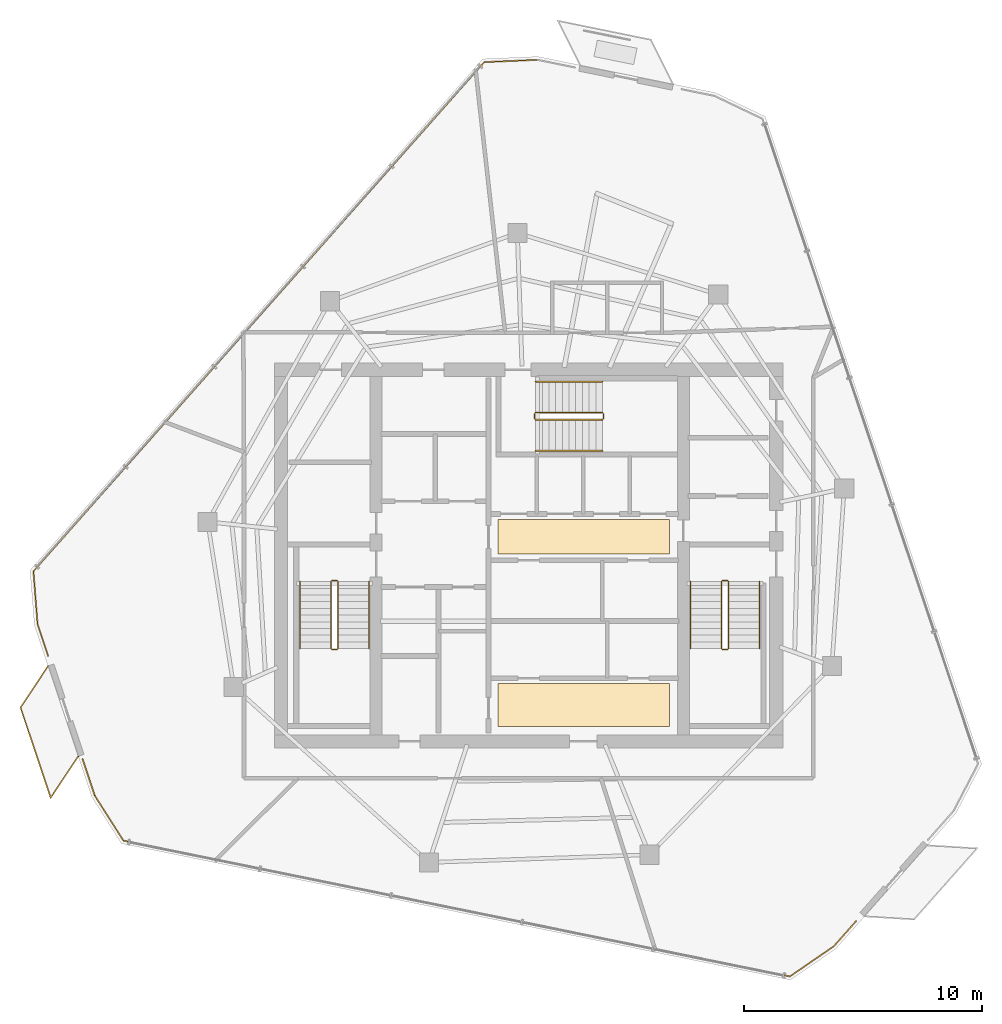
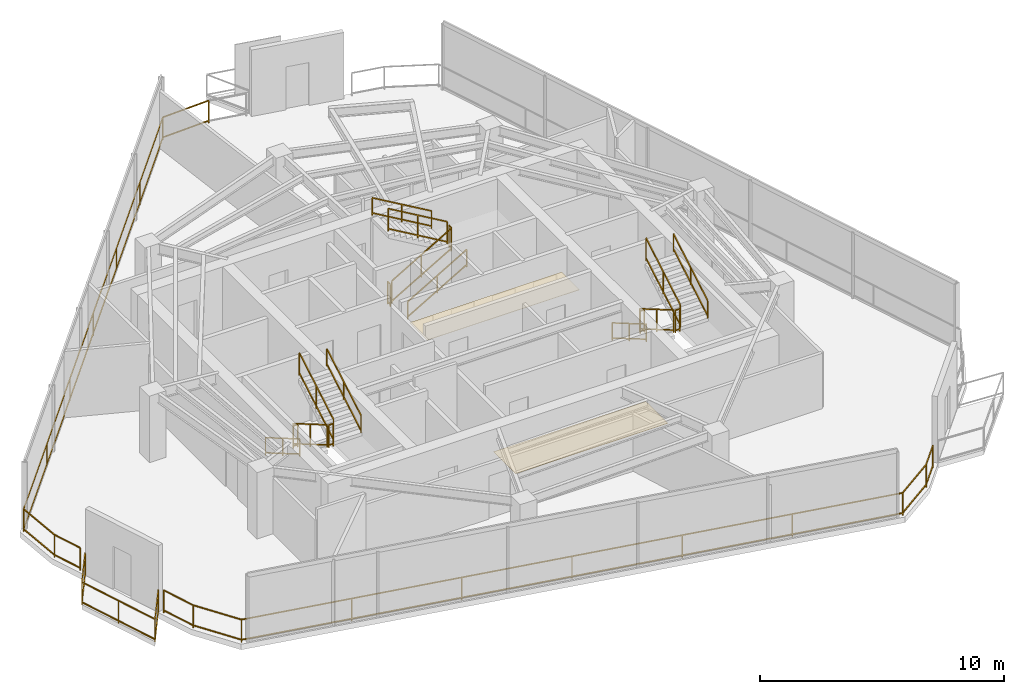
# One storey, part 17 of 18: 21 railings, 2 coverings.
"""IFC4 building model written with IfcOpenShell, lengths in metres."""

from ifc_helpers import new_model, si_unit, direction, frame, origin, origin_2d, place, context, subcontext, project, spatial, rectangle, extrude, material, layer, layer_set, type_object, element, save


model = new_model("IFC4")

# Units and contexts
model_context = context("Model", 3, precision=1e-05, world=origin(), true_north=direction((0.0, 1.0)))
body_context = subcontext(model_context, "Body", "Model", "MODEL_VIEW")
ifc_project = project(units=[si_unit("LENGTHUNIT", "METRE"), si_unit("AREAUNIT", "SQUARE_METRE"), si_unit("VOLUMEUNIT", "CUBIC_METRE"), si_unit("PLANEANGLEUNIT", "RADIAN"), si_unit("MASSUNIT", "GRAM", prefix="KILO")], contexts=[model_context])

# Site, building, storey
site_placement = place(None, origin())
site = spatial("IfcSite", under=ifc_project, at=site_placement, CompositionType="ELEMENT")
building_placement = place(site_placement, origin())
building = spatial("IfcBuilding", under=site, at=building_placement, Name="Qarnah Convention Tower", CompositionType="ELEMENT")
storey_placement = place(building_placement, frame((0.0, 0.0, 249.89990234375)))
storey = spatial("IfcBuildingStorey", under=building, at=storey_placement, Name="L67", CompositionType="ELEMENT", Elevation=249.89990234375)

# Coverings
ifc_material_1 = material(Name="Mineral fibre acoustic ceiling")
ifc_layer_1 = layer(ifc_material_1, 0.02001953125)
ifc_layer_set_1 = layer_set([ifc_layer_1], Name="Mineral fibre acoustic ceiling")
covering_type_1 = type_object("IfcCoveringType", Name="COV-CEIL-20", PredefinedType="CEILING", material=ifc_layer_set_1)
covering_1_placement = place(storey_placement, frame((39.52001953125, 27.179931640625, 2.2900390625), z_axis=(0.0, 0.0, 1.0), x_axis=(1.0, 0.0, 0.0)))
element("IfcCovering", 1, at=covering_1_placement, inside=storey, type_object=covering_type_1, Name="L67 lift lobby acoustic ceiling", PredefinedType="CEILING", context=body_context, shape_type="SweptSolid", body=[
    extrude(rectangle(XDim=7.199951171875, YDim=1.449951171875, at=origin_2d()), origin(), (0.0, 0.0, 1.0), 0.02001953125),
])
ifc_material_2 = material(Name="Porcelain stone floor tile", Category="masonry")
ifc_layer_2 = layer(ifc_material_2, 0.02001953125)
ifc_layer_set_2 = layer_set([ifc_layer_2], Name="Porcelain stone floor tile")
covering_type_2 = type_object("IfcCoveringType", Name="COV-FLOOR-20", PredefinedType="FLOORING", material=ifc_layer_set_2)
covering_2_placement = place(storey_placement, frame((39.52001953125, 20.1201171875, 0.0), z_axis=(0.0, 0.0, 1.0), x_axis=(1.0, 0.0, 0.0)))
element("IfcCovering", 2, at=covering_2_placement, inside=storey, type_object=covering_type_2, Name="L67 lift lobby porcelain stone flooring", PredefinedType="FLOORING", context=body_context, shape_type="SweptSolid", body=[
    extrude(rectangle(XDim=7.199951171875, YDim=1.800048828125, at=origin_2d()), origin(), (0.0, 0.0, 1.0), 0.02001953125),
])

# Railings
ifc_material_3 = material(Name="Black anodised aluminium", Category="aluminium")
railing_type_1 = type_object("IfcRailingType", Name="RL-EXT-GUARD-1150", PredefinedType="GUARDRAIL", material=ifc_material_3)
railing_1_placement = place(storey_placement, frame((50.945068359375, 11.044921875, 0.0)))
element("IfcRailing", 3, at=railing_1_placement, inside=storey, type_object=railing_type_1, Name="L67 slab-edge perimeter safety guard 03", PredefinedType="GUARDRAIL", context=body_context, shape_type="SweptSolid", body=[
    extrude(rectangle(XDim=0.048095703125, YDim=0.048095703125, at=origin_2d()), frame((0.0, 0.0, 1.1259765625), z_axis=(-0.663177067816, -0.748462541964, 0.0), x_axis=(0.748462541964, -0.663177067816, 0.0)), (0.0, 0.0, 1.0), 1.405517578125),
    extrude(rectangle(XDim=0.048095703125, YDim=0.048095703125, at=origin_2d()), frame((0.0, 0.0, 0.1201171875), z_axis=(-0.663177067816, -0.748462541964, 0.0), x_axis=(0.748462541964, -0.663177067816, 0.0)), (0.0, 0.0, 1.0), 1.405517578125),
    extrude(rectangle(XDim=0.048095703125, YDim=0.048095703125, at=origin_2d()), frame((-0.93212890625, -1.052001953125, 1.1259765625), z_axis=(-0.824293535735, -0.566162668272, 0.0), x_axis=(0.566162668272, -0.824293535735, 0.0)), (0.0, 0.0, 1.0), 2.23583984375),
    extrude(rectangle(XDim=0.048095703125, YDim=0.048095703125, at=origin_2d()), frame((-0.93212890625, -1.052001953125, 0.1201171875), z_axis=(-0.824293535735, -0.566162668272, 0.0), x_axis=(0.566162668272, -0.824293535735, 0.0)), (0.0, 0.0, 1.0), 2.23583984375),
    extrude(rectangle(XDim=0.048095703125, YDim=0.048095703125, at=origin_2d()), frame((-2.775146484375, -2.31787109375, 1.1259765625), z_axis=(-0.979856974036, 0.199700551909, 0.0), x_axis=(-0.199700551909, -0.979856974036, 0.0)), (0.0, 0.0, 1.0), 28.55712890625),
    extrude(rectangle(XDim=0.048095703125, YDim=0.048095703125, at=origin_2d()), frame((-2.775146484375, -2.31787109375, 0.1201171875), z_axis=(-0.979856974036, 0.199700551909, 0.0), x_axis=(-0.199700551909, -0.979856974036, 0.0)), (0.0, 0.0, 1.0), 28.55712890625),
    extrude(rectangle(XDim=0.048095703125, YDim=0.048095703125, at=origin_2d()), frame((-30.757080078125, 3.385009765625, 1.1259765625), z_axis=(-0.537115692939, 0.843508584662, 0.0), x_axis=(-0.843508584662, -0.537115692939, 0.0)), (0.0, 0.0, 1.0), 2.23583984375),
    extrude(rectangle(XDim=0.048095703125, YDim=0.048095703125, at=origin_2d()), frame((-30.757080078125, 3.385009765625, 0.1201171875), z_axis=(-0.537115692939, 0.843508584662, 0.0), x_axis=(-0.843508584662, -0.537115692939, 0.0)), (0.0, 0.0, 1.0), 2.23583984375),
    extrude(rectangle(XDim=0.048095703125, YDim=0.048095703125, at=origin_2d()), frame((-31.9580078125, 5.27099609375, 1.1259765625), z_axis=(-0.316544745963, 0.948577579222, 0.0), x_axis=(-0.948577579222, -0.316544745963, 0.0)), (0.0, 0.0, 1.0), 1.617431640625),
    extrude(rectangle(XDim=0.048095703125, YDim=0.048095703125, at=origin_2d()), frame((-31.9580078125, 5.27099609375, 0.1201171875), z_axis=(-0.316544745963, 0.948577579222, 0.0), x_axis=(-0.948577579222, -0.316544745963, 0.0)), (0.0, 0.0, 1.0), 1.617431640625),
    extrude(rectangle(XDim=0.0419921875, YDim=0.0419921875, at=origin_2d()), origin(), (0.0, 0.0, 1.0), 1.101806640625),
    extrude(rectangle(XDim=0.0419921875, YDim=0.0419921875, at=origin_2d()), frame((-0.93212890625, -1.052001953125, 0.0)), (0.0, 0.0, 1.0), 1.101806640625),
    extrude(rectangle(XDim=0.0419921875, YDim=0.0419921875, at=origin_2d()), frame((-2.775146484375, -2.31787109375, 0.0)), (0.0, 0.0, 1.0), 1.101806640625),
    extrude(rectangle(XDim=0.0419921875, YDim=0.0419921875, at=origin_2d()), frame((-7.438720703125, -1.367431640625, 0.0)), (0.0, 0.0, 1.0), 1.101806640625),
    extrude(rectangle(XDim=0.0419921875, YDim=0.0419921875, at=origin_2d()), frame((-12.1025390625, -0.4169921875, 0.0)), (0.0, 0.0, 1.0), 1.101806640625),
    extrude(rectangle(XDim=0.0419921875, YDim=0.0419921875, at=origin_2d()), frame((-16.76611328125, 0.53369140625, 0.0)), (0.0, 0.0, 1.0), 1.101806640625),
    extrude(rectangle(XDim=0.0419921875, YDim=0.0419921875, at=origin_2d()), frame((-21.4296875, 1.484130859375, 0.0)), (0.0, 0.0, 1.0), 1.101806640625),
    extrude(rectangle(XDim=0.0419921875, YDim=0.0419921875, at=origin_2d()), frame((-26.093505859375, 2.4345703125, 0.0)), (0.0, 0.0, 1.0), 1.101806640625),
    extrude(rectangle(XDim=0.0419921875, YDim=0.0419921875, at=origin_2d()), frame((-30.757080078125, 3.385009765625, 0.0)), (0.0, 0.0, 1.0), 1.101806640625),
    extrude(rectangle(XDim=0.0419921875, YDim=0.0419921875, at=origin_2d()), frame((-31.9580078125, 5.27099609375, 0.0)), (0.0, 0.0, 1.0), 1.101806640625),
    extrude(rectangle(XDim=0.0419921875, YDim=0.0419921875, at=origin_2d()), frame((-32.469970703125, 6.80517578125, 0.0)), (0.0, 0.0, 1.0), 1.101806640625),
])
railing_2_placement = place(storey_placement, frame((17.030029296875, 22.173095703125, 0.0)))
element("IfcRailing", 4, at=railing_2_placement, inside=storey, type_object=railing_type_1, Name="L67 slab-edge perimeter safety guard 04", PredefinedType="GUARDRAIL", context=body_context, shape_type="SweptSolid", body=[
    extrude(rectangle(XDim=0.048095703125, YDim=0.048095703125, at=origin_2d()), frame((0.0, 0.0, 1.1259765625), z_axis=(-0.3171128366, 0.948387815645, 0.0), x_axis=(-0.948387815645, -0.3171128366, 0.0)), (0.0, 0.0, 1.0), 1.406494140625),
    extrude(rectangle(XDim=0.048095703125, YDim=0.048095703125, at=origin_2d()), frame((0.0, 0.0, 0.1201171875), z_axis=(-0.3171128366, 0.948387815645, 0.0), x_axis=(-0.948387815645, -0.3171128366, 0.0)), (0.0, 0.0, 1.0), 1.406494140625),
    extrude(rectangle(XDim=0.048095703125, YDim=0.048095703125, at=origin_2d()), frame((-0.446044921875, 1.333984375, 1.1259765625), z_axis=(-0.078257182758, 0.996933204055, 0.0), x_axis=(-0.996933204055, -0.078257182758, 0.0)), (0.0, 0.0, 1.0), 2.23681640625),
    extrude(rectangle(XDim=0.048095703125, YDim=0.048095703125, at=origin_2d()), frame((-0.446044921875, 1.333984375, 0.1201171875), z_axis=(-0.078257182758, 0.996933204055, 0.0), x_axis=(-0.996933204055, -0.078257182758, 0.0)), (0.0, 0.0, 1.0), 2.23681640625),
    extrude(rectangle(XDim=0.048095703125, YDim=0.048095703125, at=origin_2d()), frame((-0.62109375, 3.56396484375, 1.1259765625), z_axis=(0.662894792192, 0.748712557985, 0.0), x_axis=(-0.748712557985, 0.662894792192, 0.0)), (0.0, 0.0, 1.0), 28.556884765625),
    extrude(rectangle(XDim=0.048095703125, YDim=0.048095703125, at=origin_2d()), frame((-0.62109375, 3.56396484375, 0.1201171875), z_axis=(0.662894792192, 0.748712557985, 0.0), x_axis=(-0.748712557985, 0.662894792192, 0.0)), (0.0, 0.0, 1.0), 28.556884765625),
    extrude(rectangle(XDim=0.048095703125, YDim=0.048095703125, at=origin_2d()), frame((18.30908203125, 24.94482421875, 1.1259765625), z_axis=(0.999074200739, 0.043020244272, 0.0), x_axis=(-0.043020244272, 0.999074200739, 0.0)), (0.0, 0.0, 1.0), 2.23583984375),
    extrude(rectangle(XDim=0.048095703125, YDim=0.048095703125, at=origin_2d()), frame((18.30908203125, 24.94482421875, 0.1201171875), z_axis=(0.999074200739, 0.043020244272, 0.0), x_axis=(-0.043020244272, 0.999074200739, 0.0)), (0.0, 0.0, 1.0), 2.23583984375),
    extrude(rectangle(XDim=0.0419921875, YDim=0.0419921875, at=origin_2d()), origin(), (0.0, 0.0, 1.0), 1.101806640625),
    extrude(rectangle(XDim=0.0419921875, YDim=0.0419921875, at=origin_2d()), frame((-0.446044921875, 1.333984375, 0.0)), (0.0, 0.0, 1.0), 1.101806640625),
    extrude(rectangle(XDim=0.0419921875, YDim=0.0419921875, at=origin_2d()), frame((-0.62109375, 3.56396484375, 0.0)), (0.0, 0.0, 1.0), 1.101806640625),
    extrude(rectangle(XDim=0.0419921875, YDim=0.0419921875, at=origin_2d()), frame((2.533935546875, 7.12744140625, 0.0)), (0.0, 0.0, 1.0), 1.101806640625),
    extrude(rectangle(XDim=0.0419921875, YDim=0.0419921875, at=origin_2d()), frame((5.68896484375, 10.69091796875, 0.0)), (0.0, 0.0, 1.0), 1.101806640625),
    extrude(rectangle(XDim=0.0419921875, YDim=0.0419921875, at=origin_2d()), frame((8.843994140625, 14.25439453125, 0.0)), (0.0, 0.0, 1.0), 1.101806640625),
    extrude(rectangle(XDim=0.0419921875, YDim=0.0419921875, at=origin_2d()), frame((11.9990234375, 17.81787109375, 0.0)), (0.0, 0.0, 1.0), 1.101806640625),
    extrude(rectangle(XDim=0.0419921875, YDim=0.0419921875, at=origin_2d()), frame((15.154052734375, 21.38134765625, 0.0)), (0.0, 0.0, 1.0), 1.101806640625),
    extrude(rectangle(XDim=0.0419921875, YDim=0.0419921875, at=origin_2d()), frame((18.30908203125, 24.94482421875, 0.0)), (0.0, 0.0, 1.0), 1.101806640625),
    extrude(rectangle(XDim=0.0419921875, YDim=0.0419921875, at=origin_2d()), frame((20.54296875, 25.041015625, 0.0)), (0.0, 0.0, 1.0), 1.101806640625),
])
railing_3_placement = place(storey_placement, frame((18.2919921875, 17.971923828125, 0.0)))
element("IfcRailing", 5, at=railing_3_placement, inside=storey, type_object=railing_type_1, Name="L67 balcony safety guard BAL-L67-C2", PredefinedType="GUARDRAIL", context=body_context, shape_type="SweptSolid", body=[
    extrude(rectangle(XDim=0.048095703125, YDim=0.048095703125, at=origin_2d()), frame((0.0, 0.0, 1.1259765625), z_axis=(-0.552411592809, -0.833571491913, 0.0), x_axis=(0.833571491913, -0.552411592809, 0.0)), (0.0, 0.0, 1.0), 2.094482421875),
    extrude(rectangle(XDim=0.048095703125, YDim=0.048095703125, at=origin_2d()), frame((0.0, 0.0, 0.1201171875), z_axis=(-0.552411592809, -0.833571491913, 0.0), x_axis=(0.833571491913, -0.552411592809, 0.0)), (0.0, 0.0, 1.0), 2.094482421875),
    extrude(rectangle(XDim=0.048095703125, YDim=0.048095703125, at=origin_2d()), frame((-1.156982421875, -1.745849609375, 1.1259765625), z_axis=(-0.316777037346, 0.948500030896, 0.0), x_axis=(-0.948500030896, -0.316777037346, 0.0)), (0.0, 0.0, 1.0), 4.0),
    extrude(rectangle(XDim=0.048095703125, YDim=0.048095703125, at=origin_2d()), frame((-1.156982421875, -1.745849609375, 0.1201171875), z_axis=(-0.316777037346, 0.948500030896, 0.0), x_axis=(-0.948500030896, -0.316777037346, 0.0)), (0.0, 0.0, 1.0), 4.0),
    extrude(rectangle(XDim=0.048095703125, YDim=0.048095703125, at=origin_2d()), frame((-2.424072265625, 2.048095703125, 1.1259765625), z_axis=(0.552033816687, 0.833821722692, 0.0), x_axis=(-0.833821722692, 0.552033816687, 0.0)), (0.0, 0.0, 1.0), 2.093994140625),
    extrude(rectangle(XDim=0.048095703125, YDim=0.048095703125, at=origin_2d()), frame((-2.424072265625, 2.048095703125, 0.1201171875), z_axis=(0.552033816687, 0.833821722692, 0.0), x_axis=(-0.833821722692, 0.552033816687, 0.0)), (0.0, 0.0, 1.0), 2.093994140625),
    extrude(rectangle(XDim=0.0419921875, YDim=0.0419921875, at=origin_2d()), origin(), (0.0, 0.0, 1.0), 1.101806640625),
    extrude(rectangle(XDim=0.0419921875, YDim=0.0419921875, at=origin_2d()), frame((-1.156982421875, -1.745849609375, 0.0)), (0.0, 0.0, 1.0), 1.101806640625),
    extrude(rectangle(XDim=0.0419921875, YDim=0.0419921875, at=origin_2d()), frame((-1.79052734375, 0.151123046875, 0.0)), (0.0, 0.0, 1.0), 1.101806640625),
    extrude(rectangle(XDim=0.0419921875, YDim=0.0419921875, at=origin_2d()), frame((-2.424072265625, 2.048095703125, 0.0)), (0.0, 0.0, 1.0), 1.101806640625),
    extrude(rectangle(XDim=0.0419921875, YDim=0.0419921875, at=origin_2d()), frame((-1.26806640625, 3.794189453125, 0.0)), (0.0, 0.0, 1.0), 1.101806640625),
])
ifc_material_4 = material(Name="Structural steel S355JR", Category="steel")
railing_type_2 = type_object("IfcRailingType", Name="RL-STAIR-GUARD-1150", PredefinedType="GUARDRAIL", material=ifc_material_4)
railing_4_placement = place(storey_placement, frame((28.89990234375, 25.300048828125, 0.163818359375)))
element("IfcRailing", 6, at=railing_4_placement, inside=storey, type_object=railing_type_2, Name="L67 ST-1 stair guard 1", PredefinedType="GUARDRAIL", context=body_context, shape_type="SweptSolid", body=[
    extrude(rectangle(XDim=0.048095703125, YDim=0.048095703125, at=origin_2d()), frame((0.0, 0.0, 1.1259765625), z_axis=(0.0, -0.863393664356, 0.504530851732), x_axis=(1.0, 0.0, 0.0)), (0.0, 0.0, 1.0), 3.2431640625),
    extrude(rectangle(XDim=0.048095703125, YDim=0.048095703125, at=origin_2d()), frame((0.0, 0.0, 0.1201171875), z_axis=(0.0, -0.863393664356, 0.504530851732), x_axis=(1.0, 0.0, 0.0)), (0.0, 0.0, 1.0), 3.2431640625),
    extrude(rectangle(XDim=0.0419921875, YDim=0.0419921875, at=origin_2d()), origin(), (0.0, 0.0, 1.0), 1.101806640625),
    extrude(rectangle(XDim=0.0419921875, YDim=0.0419921875, at=origin_2d()), frame((0.0, -1.39990234375, 0.818115234375)), (0.0, 0.0, 1.0), 1.101806640625),
    extrude(rectangle(XDim=0.0419921875, YDim=0.0419921875, at=origin_2d()), frame((0.0, -2.800048828125, 1.63623046875)), (0.0, 0.0, 1.0), 1.101806640625),
])
railing_5_placement = place(storey_placement, frame((28.949951171875, 22.449951171875, 1.800048828125)))
element("IfcRailing", 7, at=railing_5_placement, inside=storey, type_object=railing_type_2, Name="L67 ST-1 stair guard 2", PredefinedType="GUARDRAIL", context=body_context, shape_type="SweptSolid", body=[
    extrude(rectangle(XDim=0.048095703125, YDim=0.048095703125, at=origin_2d()), frame((0.0, 0.0, 1.1259765625), z_axis=(1.0, 0.0, 0.0), x_axis=(0.0, 1.0, 0.0)), (0.0, 0.0, 1.0), 0.199951171875),
    extrude(rectangle(XDim=0.048095703125, YDim=0.048095703125, at=origin_2d()), frame((0.0, 0.0, 0.1201171875), z_axis=(1.0, 0.0, 0.0), x_axis=(0.0, 1.0, 0.0)), (0.0, 0.0, 1.0), 0.199951171875),
    extrude(rectangle(XDim=0.0419921875, YDim=0.0419921875, at=origin_2d()), origin(), (0.0, 0.0, 1.0), 1.101806640625),
    extrude(rectangle(XDim=0.0419921875, YDim=0.0419921875, at=origin_2d()), frame((0.199951171875, 0.0, 0.0)), (0.0, 0.0, 1.0), 1.101806640625),
])
railing_6_placement = place(storey_placement, frame((29.199951171875, 22.5, 1.963623046875)))
element("IfcRailing", 8, at=railing_6_placement, inside=storey, type_object=railing_type_2, Name="L67 ST-1 stair guard 3", PredefinedType="GUARDRAIL", context=body_context, shape_type="SweptSolid", body=[
    extrude(rectangle(XDim=0.048095703125, YDim=0.048095703125, at=origin_2d()), frame((0.0, 0.0, 1.1259765625), z_axis=(0.0, 0.863360870873, 0.504586966384), x_axis=(-1.0, 0.0, 0.0)), (0.0, 0.0, 1.0), 3.2431640625),
    extrude(rectangle(XDim=0.048095703125, YDim=0.048095703125, at=origin_2d()), frame((0.0, 0.0, 0.1201171875), z_axis=(0.0, 0.863360870873, 0.504586966384), x_axis=(-1.0, 0.0, 0.0)), (0.0, 0.0, 1.0), 3.2431640625),
    extrude(rectangle(XDim=0.0419921875, YDim=0.0419921875, at=origin_2d()), origin(), (0.0, 0.0, 1.0), 1.101806640625),
    extrude(rectangle(XDim=0.0419921875, YDim=0.0419921875, at=origin_2d()), frame((0.0, 1.39990234375, 0.818359375)), (0.0, 0.0, 1.0), 1.101806640625),
    extrude(rectangle(XDim=0.0419921875, YDim=0.0419921875, at=origin_2d()), frame((0.0, 2.800048828125, 1.636474609375)), (0.0, 0.0, 1.0), 1.101806640625),
])
railing_7_placement = place(storey_placement, frame((28.949951171875, 25.35009765625, 0.0)))
element("IfcRailing", 9, at=railing_7_placement, inside=storey, type_object=railing_type_2, Name="L67 ST-1 stair guard 4", PredefinedType="GUARDRAIL", context=body_context, shape_type="SweptSolid", body=[
    extrude(rectangle(XDim=0.048095703125, YDim=0.048095703125, at=origin_2d()), frame((0.0, 0.0, 1.1259765625), z_axis=(1.0, 0.0, 0.0), x_axis=(0.0, 1.0, 0.0)), (0.0, 0.0, 1.0), 0.199951171875),
    extrude(rectangle(XDim=0.048095703125, YDim=0.048095703125, at=origin_2d()), frame((0.0, 0.0, 0.1201171875), z_axis=(1.0, 0.0, 0.0), x_axis=(0.0, 1.0, 0.0)), (0.0, 0.0, 1.0), 0.199951171875),
    extrude(rectangle(XDim=0.0419921875, YDim=0.0419921875, at=origin_2d()), origin(), (0.0, 0.0, 1.0), 1.101806640625),
    extrude(rectangle(XDim=0.0419921875, YDim=0.0419921875, at=origin_2d()), frame((0.199951171875, 0.0, 0.0)), (0.0, 0.0, 1.0), 1.101806640625),
])
railing_8_placement = place(storey_placement, frame((45.300048828125, 25.300048828125, 0.163818359375)))
element("IfcRailing", 10, at=railing_8_placement, inside=storey, type_object=railing_type_2, Name="L67 ST-2 stair guard 1", PredefinedType="GUARDRAIL", context=body_context, shape_type="SweptSolid", body=[
    extrude(rectangle(XDim=0.048095703125, YDim=0.048095703125, at=origin_2d()), frame((0.0, 0.0, 1.1259765625), z_axis=(0.0, -0.863393664356, 0.504530851732), x_axis=(1.0, 0.0, 0.0)), (0.0, 0.0, 1.0), 3.2431640625),
    extrude(rectangle(XDim=0.048095703125, YDim=0.048095703125, at=origin_2d()), frame((0.0, 0.0, 0.1201171875), z_axis=(0.0, -0.863393664356, 0.504530851732), x_axis=(1.0, 0.0, 0.0)), (0.0, 0.0, 1.0), 3.2431640625),
    extrude(rectangle(XDim=0.0419921875, YDim=0.0419921875, at=origin_2d()), origin(), (0.0, 0.0, 1.0), 1.101806640625),
    extrude(rectangle(XDim=0.0419921875, YDim=0.0419921875, at=origin_2d()), frame((0.0, -1.39990234375, 0.818115234375)), (0.0, 0.0, 1.0), 1.101806640625),
    extrude(rectangle(XDim=0.0419921875, YDim=0.0419921875, at=origin_2d()), frame((0.0, -2.800048828125, 1.63623046875)), (0.0, 0.0, 1.0), 1.101806640625),
])
railing_9_placement = place(storey_placement, frame((45.35009765625, 22.449951171875, 1.800048828125)))
element("IfcRailing", 11, at=railing_9_placement, inside=storey, type_object=railing_type_2, Name="L67 ST-2 stair guard 2", PredefinedType="GUARDRAIL", context=body_context, shape_type="SweptSolid", body=[
    extrude(rectangle(XDim=0.048095703125, YDim=0.048095703125, at=origin_2d()), frame((0.0, 0.0, 1.1259765625), z_axis=(1.0, 0.0, 0.0), x_axis=(0.0, 1.0, 0.0)), (0.0, 0.0, 1.0), 0.199951171875),
    extrude(rectangle(XDim=0.048095703125, YDim=0.048095703125, at=origin_2d()), frame((0.0, 0.0, 0.1201171875), z_axis=(1.0, 0.0, 0.0), x_axis=(0.0, 1.0, 0.0)), (0.0, 0.0, 1.0), 0.199951171875),
    extrude(rectangle(XDim=0.0419921875, YDim=0.0419921875, at=origin_2d()), origin(), (0.0, 0.0, 1.0), 1.101806640625),
    extrude(rectangle(XDim=0.0419921875, YDim=0.0419921875, at=origin_2d()), frame((0.199951171875, 0.0, 0.0)), (0.0, 0.0, 1.0), 1.101806640625),
])
railing_10_placement = place(storey_placement, frame((45.60009765625, 22.5, 1.963623046875)))
element("IfcRailing", 12, at=railing_10_placement, inside=storey, type_object=railing_type_2, Name="L67 ST-2 stair guard 3", PredefinedType="GUARDRAIL", context=body_context, shape_type="SweptSolid", body=[
    extrude(rectangle(XDim=0.048095703125, YDim=0.048095703125, at=origin_2d()), frame((0.0, 0.0, 1.1259765625), z_axis=(0.0, 0.863360870873, 0.504586966384), x_axis=(-1.0, 0.0, 0.0)), (0.0, 0.0, 1.0), 3.2431640625),
    extrude(rectangle(XDim=0.048095703125, YDim=0.048095703125, at=origin_2d()), frame((0.0, 0.0, 0.1201171875), z_axis=(0.0, 0.863360870873, 0.504586966384), x_axis=(-1.0, 0.0, 0.0)), (0.0, 0.0, 1.0), 3.2431640625),
    extrude(rectangle(XDim=0.0419921875, YDim=0.0419921875, at=origin_2d()), origin(), (0.0, 0.0, 1.0), 1.101806640625),
    extrude(rectangle(XDim=0.0419921875, YDim=0.0419921875, at=origin_2d()), frame((0.0, 1.39990234375, 0.818359375)), (0.0, 0.0, 1.0), 1.101806640625),
    extrude(rectangle(XDim=0.0419921875, YDim=0.0419921875, at=origin_2d()), frame((0.0, 2.800048828125, 1.636474609375)), (0.0, 0.0, 1.0), 1.101806640625),
])
railing_11_placement = place(storey_placement, frame((45.35009765625, 25.35009765625, 0.0)))
element("IfcRailing", 13, at=railing_11_placement, inside=storey, type_object=railing_type_2, Name="L67 ST-2 stair guard 4", PredefinedType="GUARDRAIL", context=body_context, shape_type="SweptSolid", body=[
    extrude(rectangle(XDim=0.048095703125, YDim=0.048095703125, at=origin_2d()), frame((0.0, 0.0, 1.1259765625), z_axis=(1.0, 0.0, 0.0), x_axis=(0.0, 1.0, 0.0)), (0.0, 0.0, 1.0), 0.199951171875),
    extrude(rectangle(XDim=0.048095703125, YDim=0.048095703125, at=origin_2d()), frame((0.0, 0.0, 0.1201171875), z_axis=(1.0, 0.0, 0.0), x_axis=(0.0, 1.0, 0.0)), (0.0, 0.0, 1.0), 0.199951171875),
    extrude(rectangle(XDim=0.0419921875, YDim=0.0419921875, at=origin_2d()), origin(), (0.0, 0.0, 1.0), 1.101806640625),
    extrude(rectangle(XDim=0.0419921875, YDim=0.0419921875, at=origin_2d()), frame((0.199951171875, 0.0, 0.0)), (0.0, 0.0, 1.0), 1.101806640625),
])
railing_12_placement = place(storey_placement, frame((37.5, 32.10009765625, 0.163818359375)))
element("IfcRailing", 14, at=railing_12_placement, inside=storey, type_object=railing_type_2, Name="L67 ST-3 stair guard 1", PredefinedType="GUARDRAIL", context=body_context, shape_type="SweptSolid", body=[
    extrude(rectangle(XDim=0.048095703125, YDim=0.048095703125, at=origin_2d()), frame((0.0, 0.0, 1.1259765625), z_axis=(0.863393664356, 0.0, 0.504530851732), x_axis=(0.0, 1.0, 0.0)), (0.0, 0.0, 1.0), 3.2431640625),
    extrude(rectangle(XDim=0.048095703125, YDim=0.048095703125, at=origin_2d()), frame((0.0, 0.0, 0.1201171875), z_axis=(0.863393664356, 0.0, 0.504530851732), x_axis=(0.0, 1.0, 0.0)), (0.0, 0.0, 1.0), 3.2431640625),
    extrude(rectangle(XDim=0.0419921875, YDim=0.0419921875, at=origin_2d()), origin(), (0.0, 0.0, 1.0), 1.101806640625),
    extrude(rectangle(XDim=0.0419921875, YDim=0.0419921875, at=origin_2d()), frame((1.39990234375, 0.0, 0.818115234375)), (0.0, 0.0, 1.0), 1.101806640625),
    extrude(rectangle(XDim=0.0419921875, YDim=0.0419921875, at=origin_2d()), frame((2.800048828125, 0.0, 1.63623046875)), (0.0, 0.0, 1.0), 1.101806640625),
])
railing_13_placement = place(storey_placement, frame((40.35009765625, 32.14990234375, 1.800048828125)))
element("IfcRailing", 15, at=railing_13_placement, inside=storey, type_object=railing_type_2, Name="L67 ST-3 stair guard 2", PredefinedType="GUARDRAIL", context=body_context, shape_type="SweptSolid", body=[
    extrude(rectangle(XDim=0.048095703125, YDim=0.048095703125, at=origin_2d()), frame((0.0, 0.0, 1.1259765625), z_axis=(0.0, 1.0, 0.0), x_axis=(-1.0, 0.0, 0.0)), (0.0, 0.0, 1.0), 0.2001953125),
    extrude(rectangle(XDim=0.048095703125, YDim=0.048095703125, at=origin_2d()), frame((0.0, 0.0, 0.1201171875), z_axis=(0.0, 1.0, 0.0), x_axis=(-1.0, 0.0, 0.0)), (0.0, 0.0, 1.0), 0.2001953125),
    extrude(rectangle(XDim=0.0419921875, YDim=0.0419921875, at=origin_2d()), origin(), (0.0, 0.0, 1.0), 1.101806640625),
    extrude(rectangle(XDim=0.0419921875, YDim=0.0419921875, at=origin_2d()), frame((0.0, 0.2001953125, 0.0)), (0.0, 0.0, 1.0), 1.101806640625),
])
railing_14_placement = place(storey_placement, frame((40.300048828125, 32.39990234375, 1.963623046875)))
element("IfcRailing", 16, at=railing_14_placement, inside=storey, type_object=railing_type_2, Name="L67 ST-3 stair guard 3", PredefinedType="GUARDRAIL", context=body_context, shape_type="SweptSolid", body=[
    extrude(rectangle(XDim=0.048095703125, YDim=0.048095703125, at=origin_2d()), frame((0.0, 0.0, 1.1259765625), z_axis=(-0.863360870873, 0.0, 0.504586966384), x_axis=(0.0, -1.0, 0.0)), (0.0, 0.0, 1.0), 3.2431640625),
    extrude(rectangle(XDim=0.048095703125, YDim=0.048095703125, at=origin_2d()), frame((0.0, 0.0, 0.1201171875), z_axis=(-0.863360870873, 0.0, 0.504586966384), x_axis=(0.0, -1.0, 0.0)), (0.0, 0.0, 1.0), 3.2431640625),
    extrude(rectangle(XDim=0.0419921875, YDim=0.0419921875, at=origin_2d()), origin(), (0.0, 0.0, 1.0), 1.101806640625),
    extrude(rectangle(XDim=0.0419921875, YDim=0.0419921875, at=origin_2d()), frame((-1.39990234375, 0.0, 0.818359375)), (0.0, 0.0, 1.0), 1.101806640625),
    extrude(rectangle(XDim=0.0419921875, YDim=0.0419921875, at=origin_2d()), frame((-2.800048828125, 0.0, 1.636474609375)), (0.0, 0.0, 1.0), 1.101806640625),
])
railing_15_placement = place(storey_placement, frame((37.449951171875, 32.14990234375, 0.0)))
element("IfcRailing", 17, at=railing_15_placement, inside=storey, type_object=railing_type_2, Name="L67 ST-3 stair guard 4", PredefinedType="GUARDRAIL", context=body_context, shape_type="SweptSolid", body=[
    extrude(rectangle(XDim=0.048095703125, YDim=0.048095703125, at=origin_2d()), frame((0.0, 0.0, 1.1259765625), z_axis=(0.0, 1.0, 0.0), x_axis=(-1.0, 0.0, 0.0)), (0.0, 0.0, 1.0), 0.2001953125),
    extrude(rectangle(XDim=0.048095703125, YDim=0.048095703125, at=origin_2d()), frame((0.0, 0.0, 0.1201171875), z_axis=(0.0, 1.0, 0.0), x_axis=(-1.0, 0.0, 0.0)), (0.0, 0.0, 1.0), 0.2001953125),
    extrude(rectangle(XDim=0.0419921875, YDim=0.0419921875, at=origin_2d()), origin(), (0.0, 0.0, 1.0), 1.101806640625),
    extrude(rectangle(XDim=0.0419921875, YDim=0.0419921875, at=origin_2d()), frame((0.0, 0.2001953125, 0.0)), (0.0, 0.0, 1.0), 1.101806640625),
])
railing_type_3 = type_object("IfcRailingType", Name="RL-STAIR-HAND-900", PredefinedType="HANDRAIL", material=ifc_material_4)
railing_16_placement = place(storey_placement, frame((27.60009765625, 25.300048828125, 0.163818359375)))
element("IfcRailing", 18, at=railing_16_placement, inside=storey, type_object=railing_type_3, Name="L67 ST-1 stair handrail 1", PredefinedType="HANDRAIL", context=body_context, shape_type="SweptSolid", body=[
    extrude(rectangle(XDim=0.048095703125, YDim=0.048095703125, at=origin_2d()), frame((0.0, 0.0, 0.8759765625), z_axis=(0.0, -0.863393664356, 0.504530851732), x_axis=(1.0, 0.0, 0.0)), (0.0, 0.0, 1.0), 3.2431640625),
    extrude(rectangle(XDim=0.048095703125, YDim=0.048095703125, at=origin_2d()), frame((0.0, 0.0, 0.1201171875), z_axis=(0.0, -0.863393664356, 0.504530851732), x_axis=(1.0, 0.0, 0.0)), (0.0, 0.0, 1.0), 3.2431640625),
    extrude(rectangle(XDim=0.0419921875, YDim=0.0419921875, at=origin_2d()), origin(), (0.0, 0.0, 1.0), 0.851806640625),
    extrude(rectangle(XDim=0.0419921875, YDim=0.0419921875, at=origin_2d()), frame((0.0, -1.39990234375, 0.818115234375)), (0.0, 0.0, 1.0), 0.851806640625),
    extrude(rectangle(XDim=0.0419921875, YDim=0.0419921875, at=origin_2d()), frame((0.0, -2.800048828125, 1.63623046875)), (0.0, 0.0, 1.0), 0.851806640625),
])
railing_17_placement = place(storey_placement, frame((30.5, 22.5, 1.963623046875)))
element("IfcRailing", 19, at=railing_17_placement, inside=storey, type_object=railing_type_3, Name="L67 ST-1 stair handrail 2", PredefinedType="HANDRAIL", context=body_context, shape_type="SweptSolid", body=[
    extrude(rectangle(XDim=0.048095703125, YDim=0.048095703125, at=origin_2d()), frame((0.0, 0.0, 0.8759765625), z_axis=(0.0, 0.863360870873, 0.504586966384), x_axis=(-1.0, 0.0, 0.0)), (0.0, 0.0, 1.0), 3.2431640625),
    extrude(rectangle(XDim=0.048095703125, YDim=0.048095703125, at=origin_2d()), frame((0.0, 0.0, 0.1201171875), z_axis=(0.0, 0.863360870873, 0.504586966384), x_axis=(-1.0, 0.0, 0.0)), (0.0, 0.0, 1.0), 3.2431640625),
    extrude(rectangle(XDim=0.0419921875, YDim=0.0419921875, at=origin_2d()), origin(), (0.0, 0.0, 1.0), 0.851806640625),
    extrude(rectangle(XDim=0.0419921875, YDim=0.0419921875, at=origin_2d()), frame((0.0, 1.39990234375, 0.818359375)), (0.0, 0.0, 1.0), 0.851806640625),
    extrude(rectangle(XDim=0.0419921875, YDim=0.0419921875, at=origin_2d()), frame((0.0, 2.800048828125, 1.636474609375)), (0.0, 0.0, 1.0), 0.851806640625),
])
railing_18_placement = place(storey_placement, frame((44.0, 25.300048828125, 0.163818359375)))
element("IfcRailing", 20, at=railing_18_placement, inside=storey, type_object=railing_type_3, Name="L67 ST-2 stair handrail 1", PredefinedType="HANDRAIL", context=body_context, shape_type="SweptSolid", body=[
    extrude(rectangle(XDim=0.048095703125, YDim=0.048095703125, at=origin_2d()), frame((0.0, 0.0, 0.8759765625), z_axis=(0.0, -0.863393664356, 0.504530851732), x_axis=(1.0, 0.0, 0.0)), (0.0, 0.0, 1.0), 3.2431640625),
    extrude(rectangle(XDim=0.048095703125, YDim=0.048095703125, at=origin_2d()), frame((0.0, 0.0, 0.1201171875), z_axis=(0.0, -0.863393664356, 0.504530851732), x_axis=(1.0, 0.0, 0.0)), (0.0, 0.0, 1.0), 3.2431640625),
    extrude(rectangle(XDim=0.0419921875, YDim=0.0419921875, at=origin_2d()), origin(), (0.0, 0.0, 1.0), 0.851806640625),
    extrude(rectangle(XDim=0.0419921875, YDim=0.0419921875, at=origin_2d()), frame((0.0, -1.39990234375, 0.818115234375)), (0.0, 0.0, 1.0), 0.851806640625),
    extrude(rectangle(XDim=0.0419921875, YDim=0.0419921875, at=origin_2d()), frame((0.0, -2.800048828125, 1.63623046875)), (0.0, 0.0, 1.0), 0.851806640625),
])
railing_19_placement = place(storey_placement, frame((46.89990234375, 22.5, 1.963623046875)))
element("IfcRailing", 21, at=railing_19_placement, inside=storey, type_object=railing_type_3, Name="L67 ST-2 stair handrail 2", PredefinedType="HANDRAIL", context=body_context, shape_type="SweptSolid", body=[
    extrude(rectangle(XDim=0.048095703125, YDim=0.048095703125, at=origin_2d()), frame((0.0, 0.0, 0.8759765625), z_axis=(0.0, 0.863360870873, 0.504586966384), x_axis=(-1.0, 0.0, 0.0)), (0.0, 0.0, 1.0), 3.2431640625),
    extrude(rectangle(XDim=0.048095703125, YDim=0.048095703125, at=origin_2d()), frame((0.0, 0.0, 0.1201171875), z_axis=(0.0, 0.863360870873, 0.504586966384), x_axis=(-1.0, 0.0, 0.0)), (0.0, 0.0, 1.0), 3.2431640625),
    extrude(rectangle(XDim=0.0419921875, YDim=0.0419921875, at=origin_2d()), origin(), (0.0, 0.0, 1.0), 0.851806640625),
    extrude(rectangle(XDim=0.0419921875, YDim=0.0419921875, at=origin_2d()), frame((0.0, 1.39990234375, 0.818359375)), (0.0, 0.0, 1.0), 0.851806640625),
    extrude(rectangle(XDim=0.0419921875, YDim=0.0419921875, at=origin_2d()), frame((0.0, 2.800048828125, 1.636474609375)), (0.0, 0.0, 1.0), 0.851806640625),
])
railing_20_placement = place(storey_placement, frame((37.5, 30.800048828125, 0.163818359375)))
element("IfcRailing", 22, at=railing_20_placement, inside=storey, type_object=railing_type_3, Name="L67 ST-3 stair handrail 1", PredefinedType="HANDRAIL", context=body_context, shape_type="SweptSolid", body=[
    extrude(rectangle(XDim=0.048095703125, YDim=0.048095703125, at=origin_2d()), frame((0.0, 0.0, 0.8759765625), z_axis=(0.863393664356, 0.0, 0.504530851732), x_axis=(0.0, 1.0, 0.0)), (0.0, 0.0, 1.0), 3.2431640625),
    extrude(rectangle(XDim=0.048095703125, YDim=0.048095703125, at=origin_2d()), frame((0.0, 0.0, 0.1201171875), z_axis=(0.863393664356, 0.0, 0.504530851732), x_axis=(0.0, 1.0, 0.0)), (0.0, 0.0, 1.0), 3.2431640625),
    extrude(rectangle(XDim=0.0419921875, YDim=0.0419921875, at=origin_2d()), origin(), (0.0, 0.0, 1.0), 0.851806640625),
    extrude(rectangle(XDim=0.0419921875, YDim=0.0419921875, at=origin_2d()), frame((1.39990234375, 0.0, 0.818115234375)), (0.0, 0.0, 1.0), 0.851806640625),
    extrude(rectangle(XDim=0.0419921875, YDim=0.0419921875, at=origin_2d()), frame((2.800048828125, 0.0, 1.63623046875)), (0.0, 0.0, 1.0), 0.851806640625),
])
railing_21_placement = place(storey_placement, frame((40.300048828125, 33.699951171875, 1.963623046875)))
element("IfcRailing", 23, at=railing_21_placement, inside=storey, type_object=railing_type_3, Name="L67 ST-3 stair handrail 2", PredefinedType="HANDRAIL", context=body_context, shape_type="SweptSolid", body=[
    extrude(rectangle(XDim=0.048095703125, YDim=0.048095703125, at=origin_2d()), frame((0.0, 0.0, 0.8759765625), z_axis=(-0.863360870873, 0.0, 0.504586966384), x_axis=(0.0, -1.0, 0.0)), (0.0, 0.0, 1.0), 3.2431640625),
    extrude(rectangle(XDim=0.048095703125, YDim=0.048095703125, at=origin_2d()), frame((0.0, 0.0, 0.1201171875), z_axis=(-0.863360870873, 0.0, 0.504586966384), x_axis=(0.0, -1.0, 0.0)), (0.0, 0.0, 1.0), 3.2431640625),
    extrude(rectangle(XDim=0.0419921875, YDim=0.0419921875, at=origin_2d()), origin(), (0.0, 0.0, 1.0), 0.851806640625),
    extrude(rectangle(XDim=0.0419921875, YDim=0.0419921875, at=origin_2d()), frame((-1.39990234375, 0.0, 0.818359375)), (0.0, 0.0, 1.0), 0.851806640625),
    extrude(rectangle(XDim=0.0419921875, YDim=0.0419921875, at=origin_2d()), frame((-2.800048828125, 0.0, 1.636474609375)), (0.0, 0.0, 1.0), 0.851806640625),
])

save(model, "model.ifc")
